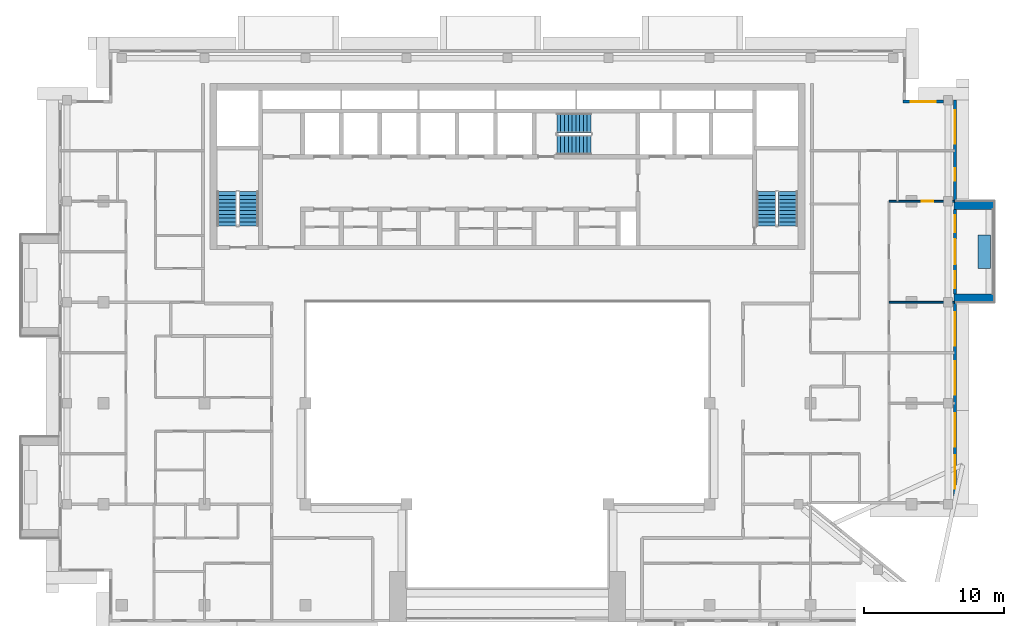
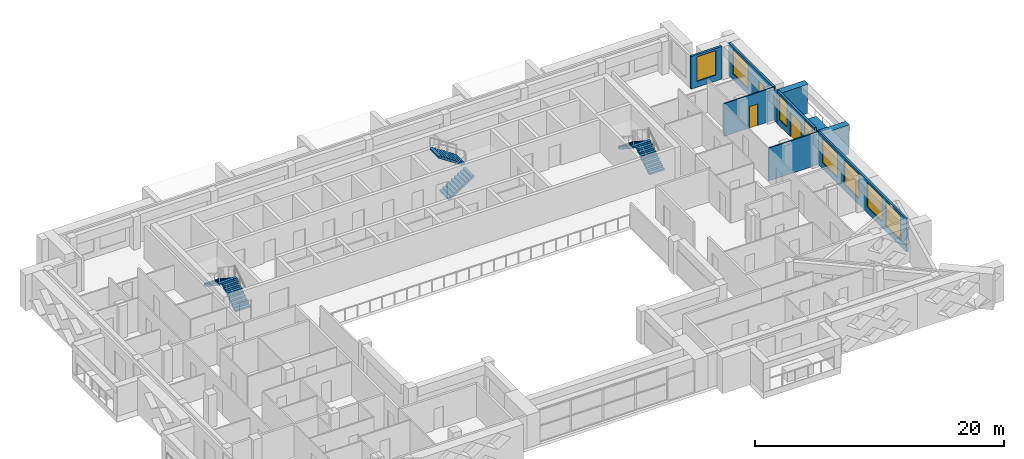
# One storey, part 12 of 19: 9 walls, 9 windows, 6 stair flights, 2 doors, 11 openings, 3 elements without a shape of their own.
"""IFC4 building model written with IfcOpenShell, lengths in metres."""

from ifc_helpers import new_model, si_unit, direction, frame, frame_2d, origin, place, context, subcontext, project, spatial, polyline, rectangle, outline, extrude, material, layer, layer_set, type_object, element, fill, aggregate, save


model = new_model("IFC4")

# Units and contexts
model_context = context("Model", 3, precision=1e-05, world=origin(), true_north=direction((0.0, 1.0)))
body_context = subcontext(model_context, "Body", "Model", "MODEL_VIEW")
ifc_project = project(units=[si_unit("LENGTHUNIT", "METRE"), si_unit("AREAUNIT", "SQUARE_METRE"), si_unit("VOLUMEUNIT", "CUBIC_METRE"), si_unit("PLANEANGLEUNIT", "RADIAN"), si_unit("MASSUNIT", "GRAM", prefix="KILO")], contexts=[model_context])

# Site, building, storey
site_placement = place(None, origin())
site = spatial("IfcSite", under=ifc_project, at=site_placement, CompositionType="ELEMENT")
building_placement = place(site_placement, origin())
building = spatial("IfcBuilding", under=site, at=building_placement, Name="Saffron Iwan Residences", CompositionType="ELEMENT")
storey_placement = place(building_placement, frame((0.0, 0.0, 250.0)))
storey = spatial("IfcBuildingStorey", under=building, at=storey_placement, Name="L67", CompositionType="ELEMENT", Elevation=250.0)

# Walls
ifc_material_1 = material(Name="Concrete C50/60 white painted", Category="concrete")
ifc_layer_1 = layer(ifc_material_1, 0.60009765625)
ifc_layer_set_1 = layer_set([ifc_layer_1], Name="Concrete C50/60 white painted")
wall_type_1 = type_object("IfcWallType", Name="BALCONY FIN 600", PredefinedType="SOLIDWALL", material=ifc_layer_set_1)
for number, where, z_axis, x_axis, name in (
    (1, (82.22509765625, 62.699951171875, 0.0), (0.0, 0.0, 1.0), (1.0, 0.0, 0.0), "Balcony fin L67 F2-0a"),
    (2, (82.22509765625, 69.300048828125, 0.0), (0.0, 0.0, 1.0), (1.0, 0.0, 0.0), "Balcony fin L67 F2-0b"),
):
    element("IfcWall", number, at=place(storey_placement, frame(where, z_axis=z_axis, x_axis=x_axis)), inside=storey, type_object=wall_type_1, Name=name, PredefinedType="SOLIDWALL", context=body_context, shape_type="SweptSolid", body=[
        extrude(rectangle(XDim=2.875, YDim=0.60009765625, at=frame_2d((1.4375, 0.0))), origin(), (0.0, 0.0, 1.0), 2.85009765625),
    ])
ifc_material_2 = material(Name="Concrete C35/45 white painted", Category="concrete")
ifc_layer_2 = layer(ifc_material_2, 0.14990234375)
ifc_layer_set_2 = layer_set([ifc_layer_2], Name="Concrete C35/45 white painted")
wall_type_2 = type_object("IfcWallType", Name="BALCONY PLANTER", PredefinedType="SOLIDWALL", material=ifc_layer_set_2)
wall_1_placement = place(storey_placement, frame((84.375, 64.800048828125, 0.0), z_axis=(0.0, 0.0, 1.0), x_axis=(0.0, 1.0, 0.0)))
element("IfcWall", 3, at=wall_1_placement, inside=storey, type_object=wall_type_2, Name="PLANTER L67 F2-0", PredefinedType="SOLIDWALL", context=body_context, shape_type="SweptSolid", body=[
    extrude(rectangle(XDim=2.39990234375, YDim=0.89990234375, at=frame_2d((1.199951171875, 0.0))), origin(), (0.0, 0.0, 1.0), 0.89990234375),
])

# Wall, openings, windows
ifc_material_3 = material(Name="Concrete C40/50", Category="concrete")
ifc_layer_3 = layer(ifc_material_3, 0.199951171875)
ifc_layer_set_3 = layer_set([ifc_layer_3], Name="Concrete C40/50")
wall_type_3 = type_object("IfcWallType", Name="EXTERNAL WALL 200", PredefinedType="SOLIDWALL", material=ifc_layer_set_3)
wall_2_placement = place(storey_placement, frame((82.300048828125, 48.199951171875, 0.0), z_axis=(0.0, 0.0, 1.0), x_axis=(0.0, 1.0, 0.0)))
wall_2 = element("IfcWall", 4, at=wall_2_placement, inside=storey, type_object=wall_type_3, Name="External wall L67 F2.0", PredefinedType="SOLIDWALL", context=body_context, shape_type="SweptSolid", body=[
    extrude(rectangle(XDim=14.199951171875, YDim=0.199951171875, at=frame_2d((7.10009765625, 0.0))), origin(), (0.0, 0.0, 1.0), 3.219970703125),
])
opening_1_placement = place(wall_2_placement, frame((0.89990234375, 0.0, 0.60009765625)))
opening_1 = element("IfcOpeningElement", 5, at=opening_1_placement, cuts=wall_2, Name="Opening W1", PredefinedType="OPENING", context=body_context, shape_type="SweptSolid", body=[
    extrude(rectangle(XDim=2.39990234375, YDim=2.39990234375, at=frame_2d((1.199951171875, 1.199951171875))), frame((0.0, 0.10986328125, 0.0), z_axis=(0.0, -1.0, 0.0), x_axis=(1.0, 0.0, 0.0)), (0.0, 0.0, 1.0), 0.219970703125),
])
opening_2_placement = place(wall_2_placement, frame((3.89990234375, 0.0, 0.60009765625)))
opening_2 = element("IfcOpeningElement", 6, at=opening_2_placement, cuts=wall_2, Name="Opening W1", PredefinedType="OPENING", context=body_context, shape_type="SweptSolid", body=[
    extrude(rectangle(XDim=2.39990234375, YDim=2.39990234375, at=frame_2d((1.199951171875, 1.199951171875))), frame((0.0, 0.10986328125, 0.0), z_axis=(0.0, -1.0, 0.0), x_axis=(1.0, 0.0, 0.0)), (0.0, 0.0, 1.0), 0.219970703125),
])
opening_3_placement = place(wall_2_placement, frame((7.60009765625, 0.0, 0.60009765625)))
opening_3 = element("IfcOpeningElement", 7, at=opening_3_placement, cuts=wall_2, Name="Opening W1", PredefinedType="OPENING", context=body_context, shape_type="SweptSolid", body=[
    extrude(rectangle(XDim=2.39990234375, YDim=2.39990234375, at=frame_2d((1.199951171875, 1.199951171875))), frame((0.0, 0.10986328125, 0.0), z_axis=(0.0, -1.0, 0.0), x_axis=(1.0, 0.0, 0.0)), (0.0, 0.0, 1.0), 0.219970703125),
])
opening_4_placement = place(wall_2_placement, frame((11.10009765625, 0.0, 0.60009765625)))
opening_4 = element("IfcOpeningElement", 8, at=opening_4_placement, cuts=wall_2, Name="Opening W1", PredefinedType="OPENING", context=body_context, shape_type="SweptSolid", body=[
    extrude(rectangle(XDim=2.39990234375, YDim=2.39990234375, at=frame_2d((1.199951171875, 1.199951171875))), frame((0.0, 0.10986328125, 0.0), z_axis=(0.0, -1.0, 0.0), x_axis=(1.0, 0.0, 0.0)), (0.0, 0.0, 1.0), 0.219970703125),
])
ifc_material_4 = material(Name="Clear glass, laminated double glazed", Category="glass")
window_type_1 = type_object("IfcWindowType", Name="WINDOW 2400 x 2400", PartitioningType="DOUBLE_PANEL_VERTICAL", PredefinedType="WINDOW", material=ifc_material_4)
window_1_placement = place(opening_1_placement, origin())
window_1 = element("IfcWindow", 9, at=window_1_placement, inside=storey, type_object=window_type_1, Name="Window L67 F2.0", OverallHeight=2.39990234375, OverallWidth=2.39990234375, PartitioningType="DOUBLE_PANEL_VERTICAL", PredefinedType="WINDOW", context=body_context, shape_type="SweptSolid", body=[
    extrude(rectangle(XDim=2.39990234375, YDim=2.39990234375, at=frame_2d((1.199951171875, 1.199951171875))), frame((0.0, 0.030029296875, 0.0), z_axis=(0.0, -1.0, 0.0), x_axis=(1.0, 0.0, 0.0)), (0.0, 0.0, 1.0), 0.06005859375),
])
fill(opening_1, window_1)
window_2_placement = place(opening_2_placement, origin())
window_2 = element("IfcWindow", 10, at=window_2_placement, inside=storey, type_object=window_type_1, Name="Window L67 F2.1", OverallHeight=2.39990234375, OverallWidth=2.39990234375, PartitioningType="DOUBLE_PANEL_VERTICAL", PredefinedType="WINDOW", context=body_context, shape_type="SweptSolid", body=[
    extrude(rectangle(XDim=2.39990234375, YDim=2.39990234375, at=frame_2d((1.199951171875, 1.199951171875))), frame((0.0, 0.030029296875, 0.0), z_axis=(0.0, -1.0, 0.0), x_axis=(1.0, 0.0, 0.0)), (0.0, 0.0, 1.0), 0.06005859375),
])
fill(opening_2, window_2)
window_3_placement = place(opening_3_placement, origin())
window_3 = element("IfcWindow", 11, at=window_3_placement, inside=storey, type_object=window_type_1, Name="Window L67 F2.2", OverallHeight=2.39990234375, OverallWidth=2.39990234375, PartitioningType="DOUBLE_PANEL_VERTICAL", PredefinedType="WINDOW", context=body_context, shape_type="SweptSolid", body=[
    extrude(rectangle(XDim=2.39990234375, YDim=2.39990234375, at=frame_2d((1.199951171875, 1.199951171875))), frame((0.0, 0.030029296875, 0.0), z_axis=(0.0, -1.0, 0.0), x_axis=(1.0, 0.0, 0.0)), (0.0, 0.0, 1.0), 0.06005859375),
])
fill(opening_3, window_3)
window_4_placement = place(opening_4_placement, origin())
window_4 = element("IfcWindow", 12, at=window_4_placement, inside=storey, type_object=window_type_1, Name="Window L67 F2.3", OverallHeight=2.39990234375, OverallWidth=2.39990234375, PartitioningType="DOUBLE_PANEL_VERTICAL", PredefinedType="WINDOW", context=body_context, shape_type="SweptSolid", body=[
    extrude(rectangle(XDim=2.39990234375, YDim=2.39990234375, at=frame_2d((1.199951171875, 1.199951171875))), frame((0.0, 0.030029296875, 0.0), z_axis=(0.0, -1.0, 0.0), x_axis=(1.0, 0.0, 0.0)), (0.0, 0.0, 1.0), 0.06005859375),
])
fill(opening_4, window_4)

# Wall, openings, door, windows
wall_3_placement = place(storey_placement, frame((82.300048828125, 63.0, 0.0), z_axis=(0.0, 0.0, 1.0), x_axis=(0.0, 1.0, 0.0)))
wall_3 = element("IfcWall", 13, at=wall_3_placement, inside=storey, type_object=wall_type_3, Name="External wall L67 F2.1", PredefinedType="SOLIDWALL", context=body_context, shape_type="SweptSolid", body=[
    extrude(rectangle(XDim=6.0, YDim=0.199951171875, at=frame_2d((3.0, 0.0))), origin(), (0.0, 0.0, 1.0), 3.219970703125),
])
opening_5_placement = place(wall_3_placement, frame((2.10009765625, 0.0, 0.0)))
opening_5 = element("IfcOpeningElement", 14, at=opening_5_placement, cuts=wall_3, Name="Opening BD1", PredefinedType="OPENING", context=body_context, shape_type="SweptSolid", body=[
    extrude(rectangle(XDim=1.800048828125, YDim=2.39990234375, at=frame_2d((0.89990234375, 1.199951171875))), frame((0.0, 0.10986328125, 0.0), z_axis=(0.0, -1.0, 0.0), x_axis=(1.0, 0.0, 0.0)), (0.0, 0.0, 1.0), 0.219970703125),
])
opening_6_placement = place(wall_3_placement, frame((0.39990234375, 0.0, 0.60009765625)))
opening_6 = element("IfcOpeningElement", 15, at=opening_6_placement, cuts=wall_3, Name="Opening W3", PredefinedType="OPENING", context=body_context, shape_type="SweptSolid", body=[
    extrude(rectangle(XDim=1.199951171875, YDim=2.39990234375, at=frame_2d((0.60009765625, 1.199951171875))), frame((0.0, 0.10986328125, 0.0), z_axis=(0.0, -1.0, 0.0), x_axis=(1.0, 0.0, 0.0)), (0.0, 0.0, 1.0), 0.219970703125),
])
opening_7_placement = place(wall_3_placement, frame((4.39990234375, 0.0, 0.60009765625)))
opening_7 = element("IfcOpeningElement", 16, at=opening_7_placement, cuts=wall_3, Name="Opening W3", PredefinedType="OPENING", context=body_context, shape_type="SweptSolid", body=[
    extrude(rectangle(XDim=1.199951171875, YDim=2.39990234375, at=frame_2d((0.60009765625, 1.199951171875))), frame((0.0, 0.10986328125, 0.0), z_axis=(0.0, -1.0, 0.0), x_axis=(1.0, 0.0, 0.0)), (0.0, 0.0, 1.0), 0.219970703125),
])
door_type_1 = type_object("IfcDoorType", Name="BALCONY DOOR 1800 x 2400", OperationType="DOUBLE_DOOR_SLIDING", PredefinedType="DOOR", material=ifc_material_4)
door_1_placement = place(opening_5_placement, origin())
door_1 = element("IfcDoor", 17, at=door_1_placement, inside=storey, type_object=door_type_1, Name="Balcony door L67 F2.0", OperationType="DOUBLE_DOOR_SLIDING", OverallHeight=2.39990234375, OverallWidth=1.800048828125, PredefinedType="DOOR", context=body_context, shape_type="SweptSolid", body=[
    extrude(rectangle(XDim=1.800048828125, YDim=2.39990234375, at=frame_2d((0.89990234375, 1.199951171875))), frame((0.0, 0.02490234375, 0.0), z_axis=(0.0, -1.0, 0.0), x_axis=(1.0, 0.0, 0.0)), (0.0, 0.0, 1.0), 0.050048828125),
])
fill(opening_5, door_1)
window_type_2 = type_object("IfcWindowType", Name="WINDOW 1200 x 2400", PartitioningType="SINGLE_PANEL", PredefinedType="WINDOW", material=ifc_material_4)
window_5_placement = place(opening_6_placement, origin())
window_5 = element("IfcWindow", 18, at=window_5_placement, inside=storey, type_object=window_type_2, Name="Window L67 F2.1", OverallHeight=2.39990234375, OverallWidth=1.199951171875, PartitioningType="SINGLE_PANEL", PredefinedType="WINDOW", context=body_context, shape_type="SweptSolid", body=[
    extrude(rectangle(XDim=1.199951171875, YDim=2.39990234375, at=frame_2d((0.60009765625, 1.199951171875))), frame((0.0, 0.030029296875, 0.0), z_axis=(0.0, -1.0, 0.0), x_axis=(1.0, 0.0, 0.0)), (0.0, 0.0, 1.0), 0.06005859375),
])
fill(opening_6, window_5)
window_6_placement = place(opening_7_placement, origin())
window_6 = element("IfcWindow", 19, at=window_6_placement, inside=storey, type_object=window_type_2, Name="Window L67 F2.2", OverallHeight=2.39990234375, OverallWidth=1.199951171875, PartitioningType="SINGLE_PANEL", PredefinedType="WINDOW", context=body_context, shape_type="SweptSolid", body=[
    extrude(rectangle(XDim=1.199951171875, YDim=2.39990234375, at=frame_2d((0.60009765625, 1.199951171875))), frame((0.0, 0.030029296875, 0.0), z_axis=(0.0, -1.0, 0.0), x_axis=(1.0, 0.0, 0.0)), (0.0, 0.0, 1.0), 0.06005859375),
])
fill(opening_7, window_6)

# Wall, openings, windows
wall_4_placement = place(storey_placement, frame((82.300048828125, 69.60009765625, 0.0), z_axis=(0.0, 0.0, 1.0), x_axis=(0.0, 1.0, 0.0)))
wall_4 = element("IfcWall", 20, at=wall_4_placement, inside=storey, type_object=wall_type_3, Name="External wall L67 F2.2", PredefinedType="SOLIDWALL", context=body_context, shape_type="SweptSolid", body=[
    extrude(rectangle(XDim=7.199951171875, YDim=0.199951171875, at=frame_2d((3.60009765625, 0.0))), origin(), (0.0, 0.0, 1.0), 3.219970703125),
])
opening_8_placement = place(wall_4_placement, frame((1.449951171875, 0.0, 1.5)))
opening_8 = element("IfcOpeningElement", 21, at=opening_8_placement, cuts=wall_4, Name="Opening W6", PredefinedType="OPENING", context=body_context, shape_type="SweptSolid", body=[
    extrude(rectangle(XDim=0.89990234375, YDim=0.89990234375, at=frame_2d((0.449951171875, 0.449951171875))), frame((0.0, 0.10986328125, 0.0), z_axis=(0.0, -1.0, 0.0), x_axis=(1.0, 0.0, 0.0)), (0.0, 0.0, 1.0), 0.219970703125),
])
opening_9_placement = place(wall_4_placement, frame((4.10009765625, 0.0, 0.60009765625)))
opening_9 = element("IfcOpeningElement", 22, at=opening_9_placement, cuts=wall_4, Name="Opening W1", PredefinedType="OPENING", context=body_context, shape_type="SweptSolid", body=[
    extrude(rectangle(XDim=2.39990234375, YDim=2.39990234375, at=frame_2d((1.199951171875, 1.199951171875))), frame((0.0, 0.10986328125, 0.0), z_axis=(0.0, -1.0, 0.0), x_axis=(1.0, 0.0, 0.0)), (0.0, 0.0, 1.0), 0.219970703125),
])
window_7_placement = place(opening_9_placement, origin())
window_7 = element("IfcWindow", 23, at=window_7_placement, inside=storey, type_object=window_type_1, Name="Window L67 F2.1", OverallHeight=2.39990234375, OverallWidth=2.39990234375, PartitioningType="DOUBLE_PANEL_VERTICAL", PredefinedType="WINDOW", context=body_context, shape_type="SweptSolid", body=[
    extrude(rectangle(XDim=2.39990234375, YDim=2.39990234375, at=frame_2d((1.199951171875, 1.199951171875))), frame((0.0, 0.030029296875, 0.0), z_axis=(0.0, -1.0, 0.0), x_axis=(1.0, 0.0, 0.0)), (0.0, 0.0, 1.0), 0.06005859375),
])
fill(opening_9, window_7)
window_type_3 = type_object("IfcWindowType", Name="WINDOW 900 x 900 BATH", PartitioningType="SINGLE_PANEL", PredefinedType="WINDOW", material=ifc_material_4)
window_8_placement = place(opening_8_placement, origin())
window_8 = element("IfcWindow", 24, at=window_8_placement, inside=storey, type_object=window_type_3, Name="Window L67 F2.0", OverallHeight=0.89990234375, OverallWidth=0.89990234375, PartitioningType="SINGLE_PANEL", PredefinedType="WINDOW", context=body_context, shape_type="SweptSolid", body=[
    extrude(rectangle(XDim=0.89990234375, YDim=0.89990234375, at=frame_2d((0.449951171875, 0.449951171875))), frame((0.0, 0.030029296875, 0.0), z_axis=(0.0, -1.0, 0.0), x_axis=(1.0, 0.0, 0.0)), (0.0, 0.0, 1.0), 0.06005859375),
])
fill(opening_8, window_8)

# Wall, opening, window
wall_5_placement = place(storey_placement, frame((81.47509765625, 76.699951171875, 0.0), z_axis=(0.0, 0.0, 1.0), x_axis=(-1.0, 0.0, 0.0)))
wall_5 = element("IfcWall", 25, at=wall_5_placement, inside=storey, type_object=wall_type_3, Name="External wall L67 F3.0", PredefinedType="SOLIDWALL", context=body_context, shape_type="SweptSolid", body=[
    extrude(rectangle(XDim=2.875, YDim=0.199951171875, at=frame_2d((1.4375, 0.0))), origin(), (0.0, 0.0, 1.0), 3.219970703125),
])
opening_10_placement = place(wall_5_placement, frame((0.53759765625, 0.0, 0.60009765625)))
opening_10 = element("IfcOpeningElement", 26, at=opening_10_placement, cuts=wall_5, Name="Opening W8", PredefinedType="OPENING", context=body_context, shape_type="SweptSolid", body=[
    extrude(rectangle(XDim=1.800048828125, YDim=2.39990234375, at=frame_2d((0.89990234375, 1.199951171875))), frame((0.0, 0.10986328125, 0.0), z_axis=(0.0, -1.0, 0.0), x_axis=(1.0, 0.0, 0.0)), (0.0, 0.0, 1.0), 0.219970703125),
])
window_type_4 = type_object("IfcWindowType", Name="WINDOW 1800 x 2400", PartitioningType="DOUBLE_PANEL_VERTICAL", PredefinedType="WINDOW", material=ifc_material_4)
window_9_placement = place(opening_10_placement, origin())
window_9 = element("IfcWindow", 27, at=window_9_placement, inside=storey, type_object=window_type_4, Name="Window L67 F3.0", OverallHeight=2.39990234375, OverallWidth=1.800048828125, PartitioningType="DOUBLE_PANEL_VERTICAL", PredefinedType="WINDOW", context=body_context, shape_type="SweptSolid", body=[
    extrude(rectangle(XDim=1.800048828125, YDim=2.39990234375, at=frame_2d((0.89990234375, 1.199951171875))), frame((0.0, 0.030029296875, 0.0), z_axis=(0.0, -1.0, 0.0), x_axis=(1.0, 0.0, 0.0)), (0.0, 0.0, 1.0), 0.06005859375),
])
fill(opening_10, window_9)

# Wall
ifc_material_5 = material(Name="Gypsum board partition")
ifc_layer_4 = layer(ifc_material_5, 0.1201171875)
ifc_layer_set_4 = layer_set([ifc_layer_4], Name="Gypsum board partition")
wall_type_4 = type_object("IfcWallType", Name="Flat partition 120", PredefinedType="PARTITIONING", material=ifc_layer_set_4)
wall_6_placement = place(storey_placement, frame((77.60009765625, 62.39990234375, 0.0), z_axis=(0.0, 0.0, 1.0), x_axis=(1.0, 0.0, 0.0)))
element("IfcWall", 28, at=wall_6_placement, inside=storey, type_object=wall_type_4, Name="W-L67-PART-h62.4-77.6", PredefinedType="PARTITIONING", context=body_context, shape_type="SweptSolid", body=[
    extrude(rectangle(XDim=4.6748046875, YDim=0.1201171875, at=frame_2d((2.33740234375, 0.0))), origin(), (0.0, 0.0, 1.0), 3.219970703125),
])

# Wall, opening, door
wall_7_placement = place(storey_placement, frame((77.60009765625, 69.60009765625, 0.0), z_axis=(0.0, 0.0, 1.0), x_axis=(1.0, 0.0, 0.0)))
wall_7 = element("IfcWall", 29, at=wall_7_placement, inside=storey, type_object=wall_type_4, Name="W-L67-PART-h69.6-77.6", PredefinedType="PARTITIONING", context=body_context, shape_type="SweptSolid", body=[
    extrude(rectangle(XDim=4.6748046875, YDim=0.1201171875, at=frame_2d((2.33740234375, 0.0))), origin(), (0.0, 0.0, 1.0), 3.219970703125),
])
opening_11_placement = place(wall_7_placement, frame((2.33740234375, 0.0, 0.0)))
opening_11 = element("IfcOpeningElement", 30, at=opening_11_placement, cuts=wall_7, Name="Opening FD3", PredefinedType="OPENING", context=body_context, shape_type="SweptSolid", body=[
    extrude(rectangle(XDim=0.800048828125, YDim=2.10009765625, at=frame_2d((0.39990234375, 1.050048828125))), frame((0.0, 0.070068359375, 0.0), z_axis=(0.0, -1.0, 0.0), x_axis=(1.0, 0.0, 0.0)), (0.0, 0.0, 1.0), 0.14013671875),
])
ifc_material_6 = material(Name="Timber door", Category="wood")
door_type_2 = type_object("IfcDoorType", Name="Bathroom door 800", OperationType="NOTDEFINED", PredefinedType="DOOR", material=ifc_material_6)
door_2_placement = place(opening_11_placement, origin())
door_2 = element("IfcDoor", 31, at=door_2_placement, inside=storey, type_object=door_type_2, Name="Door L67-035", OperationType="SINGLE_SWING_RIGHT", OverallHeight=2.10009765625, OverallWidth=0.800048828125, PredefinedType="DOOR", context=body_context, shape_type="SweptSolid", body=[
    extrude(rectangle(XDim=0.800048828125, YDim=2.10009765625, at=frame_2d((0.39990234375, 1.050048828125))), frame((0.0, 0.02490234375, 0.0), z_axis=(0.0, -1.0, 0.0), x_axis=(1.0, 0.0, 0.0)), (0.0, 0.0, 1.0), 0.050048828125),
])
fill(opening_11, door_2)

# Stair, stair flights
ifc_material_7 = material(Name="Concrete C50/60", Category="concrete")
stair_type = type_object("IfcStairType", Name="Stair ST-CORE", PredefinedType="HALF_TURN_STAIR", material=ifc_material_7)
stair_1_placement = place(storey_placement, origin())
stair_1 = element("IfcStair", 32, at=stair_1_placement, inside=storey, type_object=stair_type, Name="L67 Exit Stair ST-W", PredefinedType="HALF_TURN_STAIR")
ifc_layer_5 = layer(ifc_material_7, 0.14990234375)
ifc_layer_set_5 = layer_set([ifc_layer_5], Name="Concrete C50/60")
stair_flight_type = type_object("IfcStairFlightType", Name="Stair flight SFL-RC", PredefinedType="STRAIGHT", material=ifc_layer_set_5)
stair_flight_1_placement = place(storey_placement, frame((31.949951171875, 67.85009765625, 0.0), z_axis=(0.0, 0.0, 1.0), x_axis=(0.0, 1.0, 0.0)))
stair_flight_1 = element("IfcStairFlight", 33, at=stair_flight_1_placement, type_object=stair_flight_type, Name="ST-W flight 1", NumberOfRisers=10, NumberOfTreads=9, PredefinedType="STRAIGHT", RiserHeight=0.175, TreadLength=0.27, context=body_context, shape_type="SweptSolid", body=[
    extrude(outline(polyline([(0.0, 0.0), (0.0, 0.175048828125), (0.27001953125, 0.175048828125), (0.27001953125, 0.35009765625), (0.5400390625, 0.35009765625), (0.5400390625, 0.52490234375), (0.81005859375, 0.52490234375), (0.81005859375, 0.699951171875), (1.080078125, 0.699951171875), (1.080078125, 0.875), (1.35009765625, 0.875), (1.35009765625, 1.050048828125), (1.6201171875, 1.050048828125), (1.6201171875, 1.22509765625), (1.889892578125, 1.22509765625), (1.889892578125, 1.39990234375), (2.159912109375, 1.39990234375), (2.159912109375, 1.574951171875), (2.429931640625, 1.574951171875), (2.429931640625, 1.75), (2.429931640625, 1.396484375), (0.275634765625, 0.0), (0.0, 0.0)])), frame((0.0, 0.699951171875, 0.0), z_axis=(0.0, -1.0, 0.0), x_axis=(1.0, 0.0, 0.0)), (0.0, 0.0, 1.0), 1.39990234375),
])
stair_flight_2_placement = place(storey_placement, frame((30.39990234375, 70.280029296875, 1.75), z_axis=(0.0, 0.0, 1.0), x_axis=(0.0, -1.0, 0.0)))
stair_flight_2 = element("IfcStairFlight", 34, at=stair_flight_2_placement, type_object=stair_flight_type, Name="ST-W flight 2", NumberOfRisers=10, NumberOfTreads=9, PredefinedType="STRAIGHT", RiserHeight=0.175, TreadLength=0.27, context=body_context, shape_type="SweptSolid", body=[
    extrude(outline(polyline([(0.0, 0.0), (0.0, 0.175048828125), (0.27001953125, 0.175048828125), (0.27001953125, 0.35009765625), (0.5400390625, 0.35009765625), (0.5400390625, 0.52490234375), (0.81005859375, 0.52490234375), (0.81005859375, 0.699951171875), (1.080078125, 0.699951171875), (1.080078125, 0.875), (1.35009765625, 0.875), (1.35009765625, 1.050048828125), (1.6201171875, 1.050048828125), (1.6201171875, 1.22509765625), (1.889892578125, 1.22509765625), (1.889892578125, 1.39990234375), (2.159912109375, 1.39990234375), (2.159912109375, 1.574951171875), (2.429931640625, 1.574951171875), (2.429931640625, 1.75), (2.429931640625, 1.396484375), (0.275634765625, 0.0), (0.0, 0.0)])), frame((0.0, 0.699951171875, 0.0), z_axis=(0.0, -1.0, 0.0), x_axis=(1.0, 0.0, 0.0)), (0.0, 0.0, 1.0), 1.39990234375),
])
aggregate(stair_1, [stair_flight_1, stair_flight_2])

stair_2_placement = place(storey_placement, origin())
stair_2 = element("IfcStair", 35, at=stair_2_placement, inside=storey, type_object=stair_type, Name="L67 Exit Stair ST-C", PredefinedType="HALF_TURN_STAIR")
stair_flight_3_placement = place(storey_placement, frame((53.925048828125, 73.625, 0.0), z_axis=(0.0, 0.0, 1.0), x_axis=(1.0, 0.0, 0.0)))
stair_flight_3 = element("IfcStairFlight", 36, at=stair_flight_3_placement, type_object=stair_flight_type, Name="ST-C flight 1", NumberOfRisers=10, NumberOfTreads=9, PredefinedType="STRAIGHT", RiserHeight=0.175, TreadLength=0.27, context=body_context, shape_type="SweptSolid", body=[
    extrude(outline(polyline([(0.0, 0.0), (0.0, 0.175048828125), (0.27001953125, 0.175048828125), (0.27001953125, 0.35009765625), (0.5400390625, 0.35009765625), (0.5400390625, 0.52490234375), (0.81005859375, 0.52490234375), (0.81005859375, 0.699951171875), (1.080078125, 0.699951171875), (1.080078125, 0.875), (1.35009765625, 0.875), (1.35009765625, 1.050048828125), (1.6201171875, 1.050048828125), (1.6201171875, 1.22509765625), (1.889892578125, 1.22509765625), (1.889892578125, 1.39990234375), (2.159912109375, 1.39990234375), (2.159912109375, 1.574951171875), (2.429931640625, 1.574951171875), (2.429931640625, 1.75), (2.429931640625, 1.396484375), (0.275634765625, 0.0), (0.0, 0.0)])), frame((0.0, 0.699951171875, 0.0), z_axis=(0.0, -1.0, 0.0), x_axis=(1.0, 0.0, 0.0)), (0.0, 0.0, 1.0), 1.39990234375),
])
stair_flight_4_placement = place(storey_placement, frame((56.35498046875, 75.175048828125, 1.75), z_axis=(0.0, 0.0, 1.0), x_axis=(-1.0, 0.0, 0.0)))
stair_flight_4 = element("IfcStairFlight", 37, at=stair_flight_4_placement, type_object=stair_flight_type, Name="ST-C flight 2", NumberOfRisers=10, NumberOfTreads=9, PredefinedType="STRAIGHT", RiserHeight=0.175, TreadLength=0.27, context=body_context, shape_type="SweptSolid", body=[
    extrude(outline(polyline([(0.0, 0.0), (0.0, 0.175048828125), (0.27001953125, 0.175048828125), (0.27001953125, 0.35009765625), (0.5400390625, 0.35009765625), (0.5400390625, 0.52490234375), (0.81005859375, 0.52490234375), (0.81005859375, 0.699951171875), (1.080078125, 0.699951171875), (1.080078125, 0.875), (1.35009765625, 0.875), (1.35009765625, 1.050048828125), (1.6201171875, 1.050048828125), (1.6201171875, 1.22509765625), (1.889892578125, 1.22509765625), (1.889892578125, 1.39990234375), (2.159912109375, 1.39990234375), (2.159912109375, 1.574951171875), (2.429931640625, 1.574951171875), (2.429931640625, 1.75), (2.429931640625, 1.396484375), (0.275634765625, 0.0), (0.0, 0.0)])), frame((0.0, 0.699951171875, 0.0), z_axis=(0.0, -1.0, 0.0), x_axis=(1.0, 0.0, 0.0)), (0.0, 0.0, 1.0), 1.39990234375),
])
aggregate(stair_2, [stair_flight_3, stair_flight_4])

stair_3_placement = place(storey_placement, origin())
stair_3 = element("IfcStair", 38, at=stair_3_placement, inside=storey, type_object=stair_type, Name="L67 Exit Stair ST-E", PredefinedType="HALF_TURN_STAIR")
stair_flight_5_placement = place(storey_placement, frame((70.39990234375, 67.85009765625, 0.0), z_axis=(0.0, 0.0, 1.0), x_axis=(0.0, 1.0, 0.0)))
stair_flight_5 = element("IfcStairFlight", 39, at=stair_flight_5_placement, type_object=stair_flight_type, Name="ST-E flight 1", NumberOfRisers=10, NumberOfTreads=9, PredefinedType="STRAIGHT", RiserHeight=0.175, TreadLength=0.27, context=body_context, shape_type="SweptSolid", body=[
    extrude(outline(polyline([(0.0, 0.0), (0.0, 0.175048828125), (0.27001953125, 0.175048828125), (0.27001953125, 0.35009765625), (0.5400390625, 0.35009765625), (0.5400390625, 0.52490234375), (0.81005859375, 0.52490234375), (0.81005859375, 0.699951171875), (1.080078125, 0.699951171875), (1.080078125, 0.875), (1.35009765625, 0.875), (1.35009765625, 1.050048828125), (1.6201171875, 1.050048828125), (1.6201171875, 1.22509765625), (1.889892578125, 1.22509765625), (1.889892578125, 1.39990234375), (2.159912109375, 1.39990234375), (2.159912109375, 1.574951171875), (2.429931640625, 1.574951171875), (2.429931640625, 1.75), (2.429931640625, 1.396484375), (0.275634765625, 0.0), (0.0, 0.0)])), frame((0.0, 0.699951171875, 0.0), z_axis=(0.0, -1.0, 0.0), x_axis=(1.0, 0.0, 0.0)), (0.0, 0.0, 1.0), 1.39990234375),
])
stair_flight_6_placement = place(storey_placement, frame((68.85009765625, 70.280029296875, 1.75), z_axis=(0.0, 0.0, 1.0), x_axis=(0.0, -1.0, 0.0)))
stair_flight_6 = element("IfcStairFlight", 40, at=stair_flight_6_placement, type_object=stair_flight_type, Name="ST-E flight 2", NumberOfRisers=10, NumberOfTreads=9, PredefinedType="STRAIGHT", RiserHeight=0.175, TreadLength=0.27, context=body_context, shape_type="SweptSolid", body=[
    extrude(outline(polyline([(0.0, 0.0), (0.0, 0.175048828125), (0.27001953125, 0.175048828125), (0.27001953125, 0.35009765625), (0.5400390625, 0.35009765625), (0.5400390625, 0.52490234375), (0.81005859375, 0.52490234375), (0.81005859375, 0.699951171875), (1.080078125, 0.699951171875), (1.080078125, 0.875), (1.35009765625, 0.875), (1.35009765625, 1.050048828125), (1.6201171875, 1.050048828125), (1.6201171875, 1.22509765625), (1.889892578125, 1.22509765625), (1.889892578125, 1.39990234375), (2.159912109375, 1.39990234375), (2.159912109375, 1.574951171875), (2.429931640625, 1.574951171875), (2.429931640625, 1.75), (2.429931640625, 1.396484375), (0.275634765625, 0.0), (0.0, 0.0)])), frame((0.0, 0.699951171875, 0.0), z_axis=(0.0, -1.0, 0.0), x_axis=(1.0, 0.0, 0.0)), (0.0, 0.0, 1.0), 1.39990234375),
])
aggregate(stair_3, [stair_flight_5, stair_flight_6])

save(model, "model.ifc")
